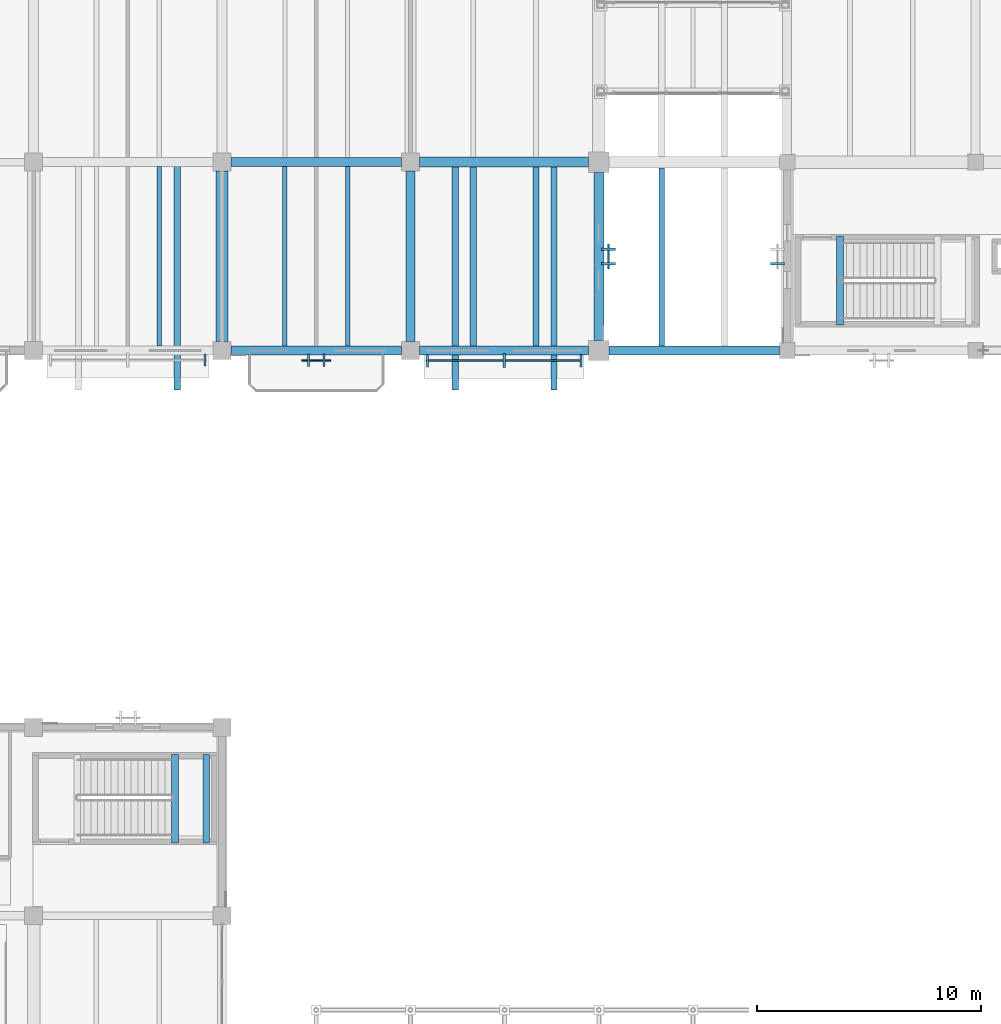
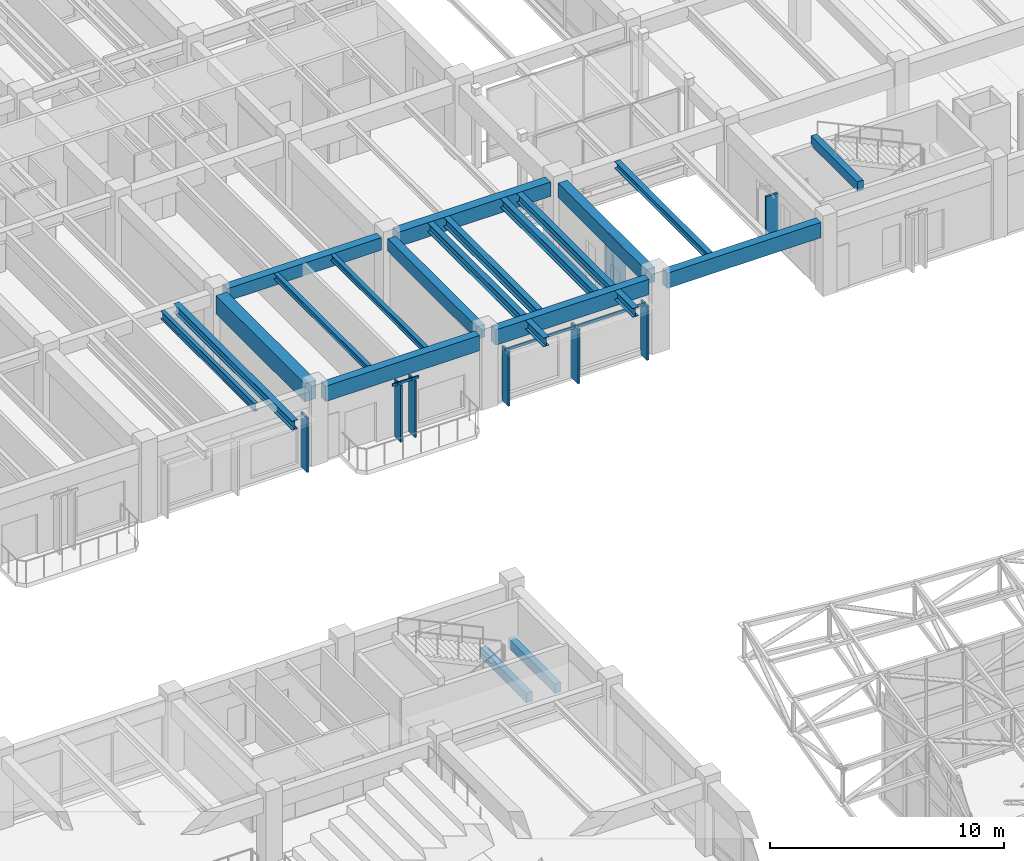
# One storey, part 46 of 132: 20 beams, 12 members, 5 elements without a shape of their own.
"""IFC4 building model written with IfcOpenShell, lengths in metres."""

from ifc_helpers import new_model, si_unit, direction, frame, origin, origin_2d, place, context, subcontext, project, spatial, rectangle, i_section, extrude, material, material_profile, profile_set, type_object, element, aggregate, save


model = new_model("IFC4")

# Units and contexts
model_context = context("Model", 3, precision=1e-05, world=origin(), true_north=direction((0.0, 1.0)))
body_context = subcontext(model_context, "Body", "Model", "MODEL_VIEW")
ifc_project = project(units=[si_unit("LENGTHUNIT", "METRE"), si_unit("AREAUNIT", "SQUARE_METRE"), si_unit("VOLUMEUNIT", "CUBIC_METRE"), si_unit("PLANEANGLEUNIT", "RADIAN"), si_unit("MASSUNIT", "GRAM", prefix="KILO")], contexts=[model_context])

# Site, building, storey
site_placement = place(None, origin())
site = spatial("IfcSite", under=ifc_project, at=site_placement, CompositionType="ELEMENT")
building_placement = place(site_placement, origin())
building = spatial("IfcBuilding", under=site, at=building_placement, Name="Cumbredor Promenade Congress Hotel", CompositionType="ELEMENT")
storey_placement = place(building_placement, frame((0.0, 0.0, 7.56005859375)))
storey = spatial("IfcBuildingStorey", under=building, at=storey_placement, Name="L02", CompositionType="ELEMENT", Elevation=7.56005859375)

# Beams
ifc_material_1 = material(Name="Concrete C40/50", Category="concrete")
ifc_material_profile_1 = material_profile(ifc_material_1, rectangle(XDim=0.39990234375, YDim=0.64990234375, at=origin_2d()), Name="RC BEAM 400x650")
ifc_profile_set_1 = profile_set([ifc_material_profile_1], Name="Concrete C40/50")
beam_type_1 = type_object("IfcBeamType", Name="BM-RC-400x650", PredefinedType="BEAM", material=ifc_profile_set_1)
beam_1_placement = place(storey_placement, frame((67.60009765625, 92.39990234375, 3.474853515625), z_axis=(1.0, 0.0, 0.0), x_axis=(0.0, 1.0, 0.0)))
element("IfcBeam", 1, at=beam_1_placement, inside=storey, type_object=beam_type_1, Name="L03 X-Grid Beam 124", PredefinedType="BEAM", context=body_context, shape_type="SweptSolid", body=[
    extrude(rectangle(XDim=0.39990234375, YDim=0.64990234375, at=origin_2d()), origin(), (0.0, 0.0, 1.0), 7.599853515625),
])
beam_2_placement = place(storey_placement, frame((75.60009765625, 84.39990234375, 3.474853515625), z_axis=(0.0, 1.0, 0.0), x_axis=(-1.0, 0.0, 0.0)))
element("IfcBeam", 2, at=beam_2_placement, inside=storey, type_object=beam_type_1, Name="L03 Y-Grid Beam 132", PredefinedType="BEAM", context=body_context, shape_type="SweptSolid", body=[
    extrude(rectangle(XDim=0.39990234375, YDim=0.64990234375, at=origin_2d()), origin(), (0.0, 0.0, 1.0), 7.60009765625),
])
ifc_material_profile_2 = material_profile(ifc_material_1, rectangle(XDim=0.449951171875, YDim=0.75, at=origin_2d()), Name="RC BEAM 450x750")
ifc_profile_set_2 = profile_set([ifc_material_profile_2], Name="Concrete C40/50")
beam_type_2 = type_object("IfcBeamType", Name="BM-RC-450x750", PredefinedType="BEAM", material=ifc_profile_set_2)
beam_3_placement = place(storey_placement, frame((76.0, 92.39990234375, 3.425048828125), z_axis=(1.0, 0.0, 0.0), x_axis=(0.0, 1.0, 0.0)))
element("IfcBeam", 3, at=beam_3_placement, inside=storey, type_object=beam_type_2, Name="L03 X-Grid Beam 133", PredefinedType="BEAM", context=body_context, shape_type="SweptSolid", body=[
    extrude(rectangle(XDim=0.449951171875, YDim=0.75, at=origin_2d()), origin(), (0.0, 0.0, 1.0), 7.550048828125),
])
beam_4_placement = place(storey_placement, frame((84.0, 84.449951171875, 3.425048828125), z_axis=(0.0, 1.0, 0.0), x_axis=(-1.0, 0.0, 0.0)))
element("IfcBeam", 4, at=beam_4_placement, inside=storey, type_object=beam_type_2, Name="L03 Y-Grid Beam 141", PredefinedType="BEAM", context=body_context, shape_type="SweptSolid", body=[
    extrude(rectangle(XDim=0.449951171875, YDim=0.75, at=origin_2d()), origin(), (0.0, 0.0, 1.0), 7.5),
])
ifc_material_profile_3 = material_profile(ifc_material_1, rectangle(XDim=0.550048828125, YDim=0.949951171875, at=origin_2d()), Name="RC BEAM 550x950")
ifc_profile_set_3 = profile_set([ifc_material_profile_3], Name="Concrete C40/50")
beam_type_3 = type_object("IfcBeamType", Name="BM-RC-550x950", PredefinedType="BEAM", material=ifc_profile_set_3)
beam_5_placement = place(storey_placement, frame((67.199951171875, 84.39990234375, 3.324951171875), z_axis=(0.0, 1.0, 0.0), x_axis=(-1.0, 0.0, 0.0)))
element("IfcBeam", 5, at=beam_5_placement, inside=storey, type_object=beam_type_3, Name="L03 Y-Grid Beam 123", PredefinedType="BEAM", context=body_context, shape_type="SweptSolid", body=[
    extrude(rectangle(XDim=0.550048828125, YDim=0.949951171875, at=origin_2d()), origin(), (0.0, 0.0, 1.0), 7.60009765625),
])

# Curtain wall, member
ifc_material_2 = material(Name="Thermally broken anodized aluminium and low-E glass", Category="aluminium")
curtain_wall_type = type_object("IfcCurtainWallType", Name="Solar Brise-Soleil Screen Assembly CW-07", PredefinedType="NOTDEFINED", material=ifc_material_2)
curtain_wall_1_placement = place(storey_placement, origin())
curtain_wall_1 = element("IfcCurtainWall", 6, at=curtain_wall_1_placement, inside=storey, type_object=curtain_wall_type, Name="L02 Veranda Solar Brise-Soleil Screen 466", PredefinedType="NOTDEFINED")
ifc_material_3 = material(Name="Thermally broken anodized aluminium", Category="aluminium")
ifc_material_profile_4 = material_profile(ifc_material_3, rectangle(XDim=0.06494140625, YDim=0.1298828125, at=origin_2d()), Name="ALU TRANSOM 65x130")
ifc_profile_set_4 = profile_set([ifc_material_profile_4], Name="Thermally broken anodized aluminium")
member_type_1 = type_object("IfcMemberType", Name="Curtain Wall Transom TR-01", PredefinedType="USERDEFINED", material=ifc_profile_set_4)
member_1_placement = place(storey_placement, frame((70.75, 83.56494140625, 2.905029296875), z_axis=(1.0, 0.0, 0.0), x_axis=(0.0, 1.0, 0.0)))
member_1 = element("IfcMember", 7, at=member_1_placement, type_object=member_type_1, Name="L02 Brise-Soleil Header Tie 0468", ObjectType="TRANSOM", PredefinedType="USERDEFINED", context=body_context, shape_type="SweptSolid", body=[
    extrude(rectangle(XDim=0.06494140625, YDim=0.1298828125, at=origin_2d()), origin(), (0.0, 0.0, 1.0), 1.300048828125),
])

curtain_wall_2_placement = place(storey_placement, origin())
curtain_wall_2 = element("IfcCurtainWall", 8, at=curtain_wall_2_placement, inside=storey, type_object=curtain_wall_type, Name="L02 Hospitality Brise-Soleil Screen 042", PredefinedType="NOTDEFINED")
member_2_placement = place(storey_placement, frame((76.301025390625, 83.550048828125, 2.804931640625), z_axis=(1.0, 0.0, 0.0), x_axis=(0.0, 1.0, 0.0)))
member_2 = element("IfcMember", 9, at=member_2_placement, type_object=member_type_1, Name="L02 Brise-Soleil Screen Transom 042", ObjectType="TRANSOM", PredefinedType="USERDEFINED", context=body_context, shape_type="SweptSolid", body=[
    extrude(rectangle(XDim=0.06494140625, YDim=0.1298828125, at=origin_2d()), origin(), (0.0, 0.0, 1.0), 6.947998046875),
])

curtain_wall_3_placement = place(storey_placement, origin())
curtain_wall_3 = element("IfcCurtainWall", 10, at=curtain_wall_3_placement, inside=storey, type_object=curtain_wall_type, Name="L02 Pier Brise-Soleil Screen 0511", PredefinedType="NOTDEFINED")
member_3_placement = place(storey_placement, frame((84.43505859375, 87.64990234375, 2.875), z_axis=(0.0, 1.0, 0.0), x_axis=(-1.0, 0.0, 0.0)))
member_3 = element("IfcMember", 11, at=member_3_placement, type_object=member_type_1, Name="L02 Pier Brise-Soleil Header 0513", ObjectType="TRANSOM", PredefinedType="USERDEFINED", context=body_context, shape_type="SweptSolid", body=[
    extrude(rectangle(XDim=0.06494140625, YDim=0.1298828125, at=origin_2d()), origin(), (0.0, 0.0, 1.0), 1.10009765625),
])

# Beams
ifc_material_4 = material(Name="Steel ASTM A992 Grade 50", Category="steel")
ifc_material_profile_5 = material_profile(ifc_material_4, i_section(OverallWidth=0.202880859375, OverallDepth=0.302978515625, WebThickness=0.007568359375, FlangeThickness=0.01318359375, at=origin_2d()), Name="W12X40")
ifc_profile_set_5 = profile_set([ifc_material_profile_5], Name="Steel ASTM A992 Grade 50")
beam_type_4 = type_object("IfcBeamType", Name="JST-W12X40", PredefinedType="JOIST", material=ifc_profile_set_5)
for number, where, z_axis, x_axis, name in (
    (12, (70.0, 84.199951171875, 3.6484375), (0.0, 1.0, 0.0), (-1.0, 0.0, 0.0), "L03 Secondary Floor Joist 0066"),
    (13, (72.800048828125, 84.199951171875, 3.6484375), (0.0, 1.0, 0.0), (-1.0, 0.0, 0.0), "L03 Secondary Floor Joist 0067"),
):
    element("IfcBeam", number, at=place(storey_placement, frame(where, z_axis=z_axis, x_axis=x_axis)), inside=storey, type_object=beam_type_4, Name=name, PredefinedType="JOIST", context=body_context, shape_type="SweptSolid", body=[
        extrude(i_section(OverallWidth=0.202880859375, OverallDepth=0.302978515625, WebThickness=0.007568359375, FlangeThickness=0.01318359375, at=origin_2d()), origin(), (0.0, 0.0, 1.0), 8.0),
    ])
ifc_material_profile_6 = material_profile(ifc_material_4, i_section(OverallWidth=0.2548828125, OverallDepth=0.35693359375, WebThickness=0.010498046875, FlangeThickness=0.018310546875, at=origin_2d()), Name="W14X68")
ifc_profile_set_6 = profile_set([ifc_material_profile_6], Name="Steel ASTM A992 Grade 50")
beam_type_5 = type_object("IfcBeamType", Name="JST-W14X68", PredefinedType="JOIST", material=ifc_profile_set_6)
beam_6_placement = place(storey_placement, frame((86.800048828125, 84.199951171875, 3.621337890625), z_axis=(0.0, 1.0, 0.0), x_axis=(-1.0, 0.0, 0.0)))
element("IfcBeam", 14, at=beam_6_placement, inside=storey, type_object=beam_type_5, Name="L03 Secondary Floor Joist 0082", PredefinedType="JOIST", context=body_context, shape_type="SweptSolid", body=[
    extrude(i_section(OverallWidth=0.2548828125, OverallDepth=0.35693359375, WebThickness=0.010498046875, FlangeThickness=0.018310546875, at=origin_2d()), origin(), (0.0, 0.0, 1.0), 7.949951171875),
])
ifc_material_profile_7 = material_profile(ifc_material_4, i_section(OverallWidth=0.180908203125, OverallDepth=0.4169921875, WebThickness=0.010986328125, FlangeThickness=0.018310546875, at=origin_2d()), Name="W16X57")
ifc_profile_set_7 = profile_set([ifc_material_profile_7], Name="Steel ASTM A992 Grade 50")
beam_type_6 = type_object("IfcBeamType", Name="JST-W16X57", PredefinedType="JOIST", material=ifc_profile_set_7)
beam_7_placement = place(storey_placement, frame((64.39990234375, 84.199951171875, 3.591552734375), z_axis=(0.0, 1.0, 0.0), x_axis=(-1.0, 0.0, 0.0)))
element("IfcBeam", 15, at=beam_7_placement, inside=storey, type_object=beam_type_6, Name="L03 Secondary Floor Joist 0059", PredefinedType="JOIST", context=body_context, shape_type="SweptSolid", body=[
    extrude(i_section(OverallWidth=0.180908203125, OverallDepth=0.4169921875, WebThickness=0.010986328125, FlangeThickness=0.018310546875, at=origin_2d()), origin(), (0.0, 0.0, 1.0), 8.0),
])
ifc_material_profile_8 = material_profile(ifc_material_4, i_section(OverallWidth=0.280029296875, OverallDepth=0.462890625, WebThickness=0.0107421875, FlangeThickness=0.017333984375, at=origin_2d()), Name="W18X76")
ifc_profile_set_8 = profile_set([ifc_material_profile_8], Name="Steel ASTM A992 Grade 50")
beam_type_7 = type_object("IfcBeamType", Name="JST-W18X76", PredefinedType="JOIST", material=ifc_profile_set_8)
for number, where, z_axis, x_axis, name in (
    (16, (65.199951171875, 82.25, 3.568359375), (0.0, 1.0, 0.0), (-1.0, 0.0, 0.0), "L03 Balcony Back-Spanned Outrigger Beam 018.2"),
    (17, (77.60009765625, 82.25, 3.568359375), (0.0, 1.0, 0.0), (-1.0, 0.0, 0.0), "L03 Balcony Back-Spanned Outrigger Beam 019.1"),
    (18, (82.0, 82.25, 3.568359375), (0.0, 1.0, 0.0), (-1.0, 0.0, 0.0), "L03 Balcony Back-Spanned Outrigger Beam 019.2"),
):
    element("IfcBeam", number, at=place(storey_placement, frame(where, z_axis=z_axis, x_axis=x_axis)), inside=storey, type_object=beam_type_7, Name=name, PredefinedType="JOIST", context=body_context, shape_type="SweptSolid", body=[
        extrude(i_section(OverallWidth=0.280029296875, OverallDepth=0.462890625, WebThickness=0.0107421875, FlangeThickness=0.017333984375, at=origin_2d()), origin(), (0.0, 0.0, 1.0), 10.14990234375),
    ])
for number, where, z_axis, x_axis, name in (
    (19, (78.39990234375, 84.199951171875, 3.568359375), (0.0, 1.0, 0.0), (-1.0, 0.0, 0.0), "L03 Secondary Floor Joist 0074"),
    (20, (81.199951171875, 84.199951171875, 3.568359375), (0.0, 1.0, 0.0), (-1.0, 0.0, 0.0), "L03 Secondary Floor Joist 0075"),
):
    element("IfcBeam", number, at=place(storey_placement, frame(where, z_axis=z_axis, x_axis=x_axis)), inside=storey, type_object=beam_type_7, Name=name, PredefinedType="JOIST", context=body_context, shape_type="SweptSolid", body=[
        extrude(i_section(OverallWidth=0.280029296875, OverallDepth=0.462890625, WebThickness=0.0107421875, FlangeThickness=0.017333984375, at=origin_2d()), origin(), (0.0, 0.0, 1.0), 7.97509765625),
    ])
ifc_material_profile_9 = material_profile(ifc_material_1, rectangle(XDim=0.300048828125, YDim=0.5, at=origin_2d()), Name="RC LINTEL 300x500")
ifc_profile_set_9 = profile_set([ifc_material_profile_9], Name="Concrete C40/50")
beam_type_8 = type_object("IfcBeamType", Name="LN-RC-300x500", PredefinedType="LINTEL", material=ifc_profile_set_9)
for number, where, z_axis, x_axis, name in (
    (21, (66.5, 62.050048828125, 1.64990234375), (0.0, 1.0, 0.0), (-1.0, 0.0, 0.0), "L02 Stair ST-07 Landing Ledger Beam E"),
    (22, (65.10009765625, 62.050048828125, 1.64990234375), (0.0, 1.0, 0.0), (-1.0, 0.0, 0.0), "L02 Stair ST-07 Landing Ledger Beam W"),
):
    element("IfcBeam", number, at=place(storey_placement, frame(where, z_axis=z_axis, x_axis=x_axis)), inside=storey, type_object=beam_type_8, Name=name, PredefinedType="LINTEL", context=body_context, shape_type="SweptSolid", body=[
        extrude(rectangle(XDim=0.300048828125, YDim=0.5, at=origin_2d()), origin(), (0.0, 0.0, 1.0), 3.949951171875),
    ])
beam_8_placement = place(storey_placement, frame((94.75, 85.1298828125, 3.949951171875), z_axis=(0.0, 1.0, 0.0), x_axis=(-1.0, 0.0, 0.0)))
element("IfcBeam", 23, at=beam_8_placement, inside=storey, type_object=beam_type_8, Name="L03 Stair ST-13 Well Header Trimmer Beam", PredefinedType="LINTEL", context=body_context, shape_type="SweptSolid", body=[
    extrude(rectangle(XDim=0.300048828125, YDim=0.5, at=origin_2d()), origin(), (0.0, 0.0, 1.0), 3.97021484375),
])
ifc_material_profile_10 = material_profile(ifc_material_1, rectangle(XDim=0.39990234375, YDim=0.800048828125, at=origin_2d()), Name="RC SPANDREL 400x800")
ifc_profile_set_10 = profile_set([ifc_material_profile_10], Name="Concrete C40/50")
beam_type_9 = type_object("IfcBeamType", Name="SP-RC-400x800", PredefinedType="SPANDREL", material=ifc_profile_set_10)
beam_9_placement = place(storey_placement, frame((67.60009765625, 84.0, 3.39990234375), z_axis=(1.0, 0.0, 0.0), x_axis=(0.0, 1.0, 0.0)))
element("IfcBeam", 24, at=beam_9_placement, inside=storey, type_object=beam_type_9, Name="L03 X-Grid Beam 122", PredefinedType="SPANDREL", context=body_context, shape_type="SweptSolid", body=[
    extrude(rectangle(XDim=0.39990234375, YDim=0.800048828125, at=origin_2d()), origin(), (0.0, 0.0, 1.0), 7.599853515625),
])
beam_10_placement = place(storey_placement, frame((76.0, 84.0, 3.39990234375), z_axis=(1.0, 0.0, 0.0), x_axis=(0.0, 1.0, 0.0)))
element("IfcBeam", 25, at=beam_10_placement, inside=storey, type_object=beam_type_9, Name="L03 X-Grid Beam 131", PredefinedType="SPANDREL", context=body_context, shape_type="SweptSolid", body=[
    extrude(rectangle(XDim=0.39990234375, YDim=0.800048828125, at=origin_2d()), origin(), (0.0, 0.0, 1.0), 7.550048828125),
])
beam_11_placement = place(storey_placement, frame((84.449951171875, 84.0, 3.39990234375), z_axis=(1.0, 0.0, 0.0), x_axis=(0.0, 1.0, 0.0)))
element("IfcBeam", 26, at=beam_11_placement, inside=storey, type_object=beam_type_9, Name="L03 X-Grid Beam 140", PredefinedType="SPANDREL", context=body_context, shape_type="SweptSolid", body=[
    extrude(rectangle(XDim=0.39990234375, YDim=0.800048828125, at=origin_2d()), origin(), (0.0, 0.0, 1.0), 7.60009765625),
])

# Curtain wall, member
curtain_wall_4_placement = place(storey_placement, origin())
curtain_wall_4 = element("IfcCurtainWall", 27, at=curtain_wall_4_placement, inside=storey, type_object=curtain_wall_type, Name="L02 Pier Brise-Soleil Screen 0433", PredefinedType="NOTDEFINED")
ifc_material_profile_11 = material_profile(ifc_material_3, rectangle(XDim=0.110107421875, YDim=0.6201171875, at=origin_2d()), Name="ARCH FIN 110x620")
ifc_profile_set_11 = profile_set([ifc_material_profile_11], Name="Thermally broken anodized aluminium")
member_type_2 = type_object("IfcMemberType", Name="Vertical Bronze Brise-Soleil Fin BSF-02 110x620", PredefinedType="USERDEFINED", material=ifc_profile_set_11)
member_4_placement = place(storey_placement, frame((91.965087890625, 87.8798828125, 0.02001953125), z_axis=(0.0, 0.0, 1.0), x_axis=(0.0, 1.0, 0.0)))
member_4 = element("IfcMember", 28, at=member_4_placement, type_object=member_type_2, Name="L02 Pier Brise-Soleil Fin 0434", ObjectType="SOLAR FIN", PredefinedType="USERDEFINED", context=body_context, shape_type="SweptSolid", body=[
    extrude(rectangle(XDim=0.110107421875, YDim=0.6201171875, at=origin_2d()), origin(), (0.0, 0.0, 1.0), 2.794921875),
])
aggregate(curtain_wall_4, [member_4])

# Member
member_5_placement = place(storey_placement, frame((79.77490234375, 83.550048828125, 0.02001953125), z_axis=(0.0, 0.0, 1.0), x_axis=(1.0, 0.0, 0.0)))
member_5 = element("IfcMember", 29, at=member_5_placement, type_object=member_type_2, Name="L02 Vertical Brise-Soleil Fin 0470", ObjectType="SOLAR FIN", PredefinedType="USERDEFINED", context=body_context, shape_type="SweptSolid", body=[
    extrude(rectangle(XDim=0.110107421875, YDim=0.6201171875, at=origin_2d()), origin(), (0.0, 0.0, 1.0), 2.844970703125),
])

member_6_placement = place(storey_placement, frame((84.43505859375, 87.8798828125, 0.02001953125), z_axis=(0.0, 0.0, 1.0), x_axis=(0.0, 1.0, 0.0)))
member_6 = element("IfcMember", 30, at=member_6_placement, type_object=member_type_2, Name="L02 Pier Brise-Soleil Fin 0512", ObjectType="SOLAR FIN", PredefinedType="USERDEFINED", context=body_context, shape_type="SweptSolid", body=[
    extrude(rectangle(XDim=0.110107421875, YDim=0.6201171875, at=origin_2d()), origin(), (0.0, 0.0, 1.0), 2.89501953125),
])

member_7_placement = place(storey_placement, frame((84.43505859375, 88.52001953125, 0.02001953125), z_axis=(0.0, 0.0, 1.0), x_axis=(0.0, 1.0, 0.0)))
member_7 = element("IfcMember", 31, at=member_7_placement, type_object=member_type_2, Name="L02 Pier Brise-Soleil Fin 0513", ObjectType="SOLAR FIN", PredefinedType="USERDEFINED", context=body_context, shape_type="SweptSolid", body=[
    extrude(rectangle(XDim=0.110107421875, YDim=0.6201171875, at=origin_2d()), origin(), (0.0, 0.0, 1.0), 2.89501953125),
])

aggregate(curtain_wall_3, [member_6, member_7, member_3])

# Curtain wall, member
curtain_wall_5_placement = place(storey_placement, origin())
curtain_wall_5 = element("IfcCurtainWall", 32, at=curtain_wall_5_placement, inside=storey, type_object=curtain_wall_type, Name="L02 Hospitality Brise-Soleil Screen 041", PredefinedType="NOTDEFINED")
ifc_material_5 = material(Name="Kiln-dried tropical hardwood", Category="wood")
ifc_material_profile_12 = material_profile(ifc_material_5, rectangle(XDim=0.090087890625, YDim=0.550048828125, at=origin_2d()), Name="ARCH FIN 90x550")
ifc_profile_set_12 = profile_set([ifc_material_profile_12], Name="Kiln-dried tropical hardwood")
member_type_3 = type_object("IfcMemberType", Name="Vertical Hardwood Brise-Soleil Fin BSF-01 90x550", PredefinedType="USERDEFINED", material=ifc_profile_set_12)
member_8_placement = place(storey_placement, frame((66.448974609375, 83.577392578125, 0.02001953125), z_axis=(0.0, 0.0, 1.0), x_axis=(1.0, 0.0, 0.0)))
member_8 = element("IfcMember", 33, at=member_8_placement, type_object=member_type_3, Name="L02 Vertical Brise-Soleil Fin 0465", ObjectType="SOLAR FIN", PredefinedType="USERDEFINED", context=body_context, shape_type="SweptSolid", body=[
    extrude(rectangle(XDim=0.090087890625, YDim=0.550048828125, at=origin_2d()), origin(), (0.0, 0.0, 1.0), 2.844970703125),
])
aggregate(curtain_wall_5, [member_8])

# Member
member_9_placement = place(storey_placement, frame((71.050048828125, 83.56494140625, -0.010009765625), z_axis=(0.0, 0.0, 1.0), x_axis=(1.0, 0.0, 0.0)))
member_9 = element("IfcMember", 34, at=member_9_placement, type_object=member_type_3, Name="L02 Vertical Hardwood Brise-Soleil Fin 0467", ObjectType="SOLAR FIN", PredefinedType="USERDEFINED", context=body_context, shape_type="SweptSolid", body=[
    extrude(rectangle(XDim=0.090087890625, YDim=0.550048828125, at=origin_2d()), origin(), (0.0, 0.0, 1.0), 2.974853515625),
])

member_10_placement = place(storey_placement, frame((71.75, 83.56494140625, -0.010009765625), z_axis=(0.0, 0.0, 1.0), x_axis=(1.0, 0.0, 0.0)))
member_10 = element("IfcMember", 35, at=member_10_placement, type_object=member_type_3, Name="L02 Vertical Hardwood Brise-Soleil Fin 0468", ObjectType="SOLAR FIN", PredefinedType="USERDEFINED", context=body_context, shape_type="SweptSolid", body=[
    extrude(rectangle(XDim=0.090087890625, YDim=0.550048828125, at=origin_2d()), origin(), (0.0, 0.0, 1.0), 2.974853515625),
])

aggregate(curtain_wall_1, [member_9, member_10, member_1])

member_11_placement = place(storey_placement, frame((76.35107421875, 83.550048828125, 0.02001953125), z_axis=(0.0, 0.0, 1.0), x_axis=(1.0, 0.0, 0.0)))
member_11 = element("IfcMember", 36, at=member_11_placement, type_object=member_type_3, Name="L02 Vertical Brise-Soleil Fin 0469", ObjectType="SOLAR FIN", PredefinedType="USERDEFINED", context=body_context, shape_type="SweptSolid", body=[
    extrude(rectangle(XDim=0.090087890625, YDim=0.550048828125, at=origin_2d()), origin(), (0.0, 0.0, 1.0), 2.844970703125),
])

member_12_placement = place(storey_placement, frame((83.198974609375, 83.550048828125, 0.02001953125), z_axis=(0.0, 0.0, 1.0), x_axis=(1.0, 0.0, 0.0)))
member_12 = element("IfcMember", 37, at=member_12_placement, type_object=member_type_3, Name="L02 Vertical Brise-Soleil Fin 0471", ObjectType="SOLAR FIN", PredefinedType="USERDEFINED", context=body_context, shape_type="SweptSolid", body=[
    extrude(rectangle(XDim=0.090087890625, YDim=0.550048828125, at=origin_2d()), origin(), (0.0, 0.0, 1.0), 2.844970703125),
])

aggregate(curtain_wall_2, [member_2, member_11, member_5, member_12])

save(model, "model.ifc")
